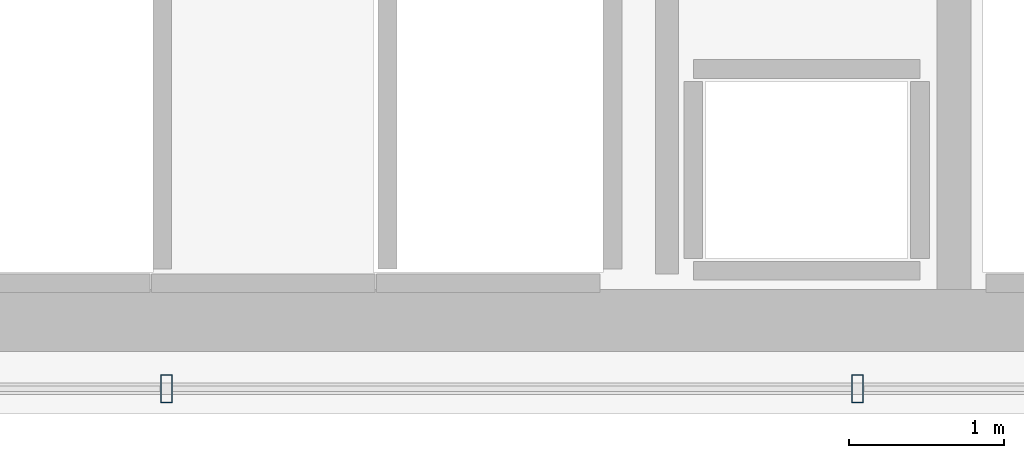
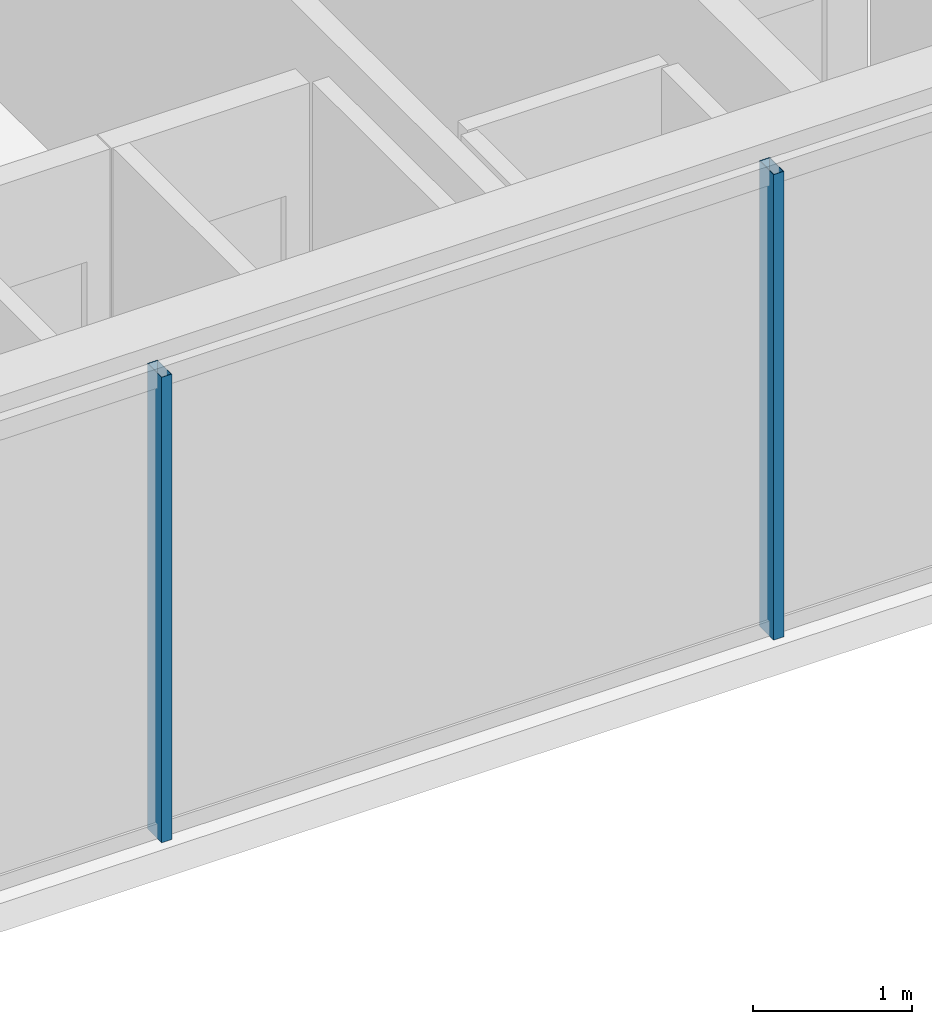
# One storey, part 9 of 32: 2 members, 1 element without a shape of its own.
"""IFC4 building model written with IfcOpenShell, lengths in metres."""

from ifc_helpers import new_model, si_unit, direction, frame, origin, origin_2d, place, context, subcontext, project, spatial, hollow_rectangle, extrude, material, layer, layer_set, material_profile, profile_set, type_object, element, aggregate, save


model = new_model("IFC4")

# Units and contexts
model_context = context("Model", 3, precision=1e-05, world=origin(), true_north=direction((0.0, 1.0)))
body_context = subcontext(model_context, "Body", "Model", "MODEL_VIEW")
ifc_project = project(units=[si_unit("LENGTHUNIT", "METRE"), si_unit("AREAUNIT", "SQUARE_METRE"), si_unit("VOLUMEUNIT", "CUBIC_METRE"), si_unit("PLANEANGLEUNIT", "RADIAN"), si_unit("MASSUNIT", "GRAM", prefix="KILO")], contexts=[model_context])

# Site, building, storey
site_placement = place(None, origin())
site = spatial("IfcSite", under=ifc_project, at=site_placement, CompositionType="ELEMENT")
building_placement = place(site_placement, origin())
building = spatial("IfcBuilding", under=site, at=building_placement, Name="Ndaravel Arena Tower", CompositionType="ELEMENT")
storey_placement = place(building_placement, frame((0.0, 0.0, 283.300048828125)))
storey = spatial("IfcBuildingStorey", under=building, at=storey_placement, Name="L69", CompositionType="ELEMENT", Elevation=283.300048828125)

# Curtain wall, members
ifc_material_1 = material(Name="Aluminium", Category="aluminium")
ifc_layer = layer(ifc_material_1, 0.179931640625)
ifc_layer_set = layer_set([ifc_layer], Name="Aluminium")
curtain_wall_type = type_object("IfcCurtainWallType", Name="CW-SYS-03", PredefinedType="NOTDEFINED", material=ifc_layer_set)
curtain_wall_placement = place(storey_placement, origin())
curtain_wall = element("IfcCurtainWall", 1, at=curtain_wall_placement, inside=storey, type_object=curtain_wall_type, Name="L69 Faceted Crystal Curtain Wall CW-L69-E01", PredefinedType="NOTDEFINED")
ifc_material_2 = material(Name="Aluminium", Category="aluminium")
ifc_material_profile = material_profile(ifc_material_2, hollow_rectangle(XDim=0.074951171875, YDim=0.179931640625, WallThickness=0.00390625, at=origin_2d()), Name="CW MULLION 75x180x4")
ifc_profile_set = profile_set([ifc_material_profile], Name="Aluminium")
member_type = type_object("IfcMemberType", Name="MEM-CW-MUL180", PredefinedType="MULLION", material=ifc_profile_set)
member_1_placement = place(storey_placement, frame((44.22607421875, 5.159912109375, 0.0), z_axis=(0.0, 0.0, 1.0), x_axis=(1.0, 0.0, 0.0)))
member_1 = element("IfcMember", 2, at=member_1_placement, type_object=member_type, Name="CW-L69-E01 Mullion 05", PredefinedType="MULLION", context=body_context, shape_type="SweptSolid", body=[
    extrude(hollow_rectangle(XDim=0.074951171875, YDim=0.179931640625, WallThickness=0.00390625, at=origin_2d()), origin(), (0.0, 0.0, 1.0), 3.579833984375),
])
member_2_placement = place(storey_placement, frame((48.678466796875, 5.159912109375, 0.0), z_axis=(0.0, 0.0, 1.0), x_axis=(1.0, 0.0, 0.0)))
member_2 = element("IfcMember", 3, at=member_2_placement, type_object=member_type, Name="CW-L69-E01 Mullion 06", PredefinedType="MULLION", context=body_context, shape_type="SweptSolid", body=[
    extrude(hollow_rectangle(XDim=0.074951171875, YDim=0.179931640625, WallThickness=0.00390625, at=origin_2d()), origin(), (0.0, 0.0, 1.0), 3.579833984375),
])
aggregate(curtain_wall, [member_1, member_2])

save(model, "model.ifc")
